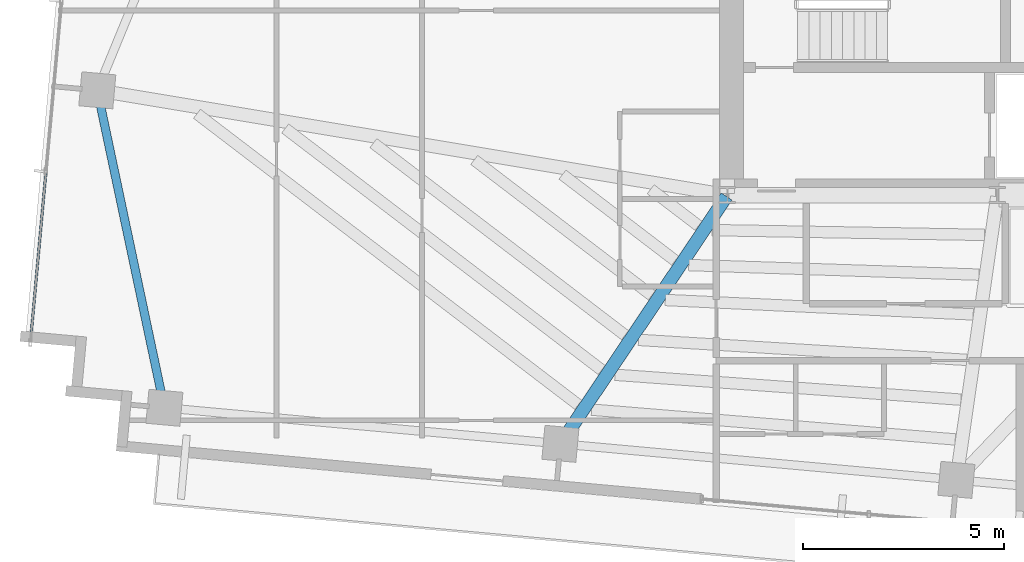
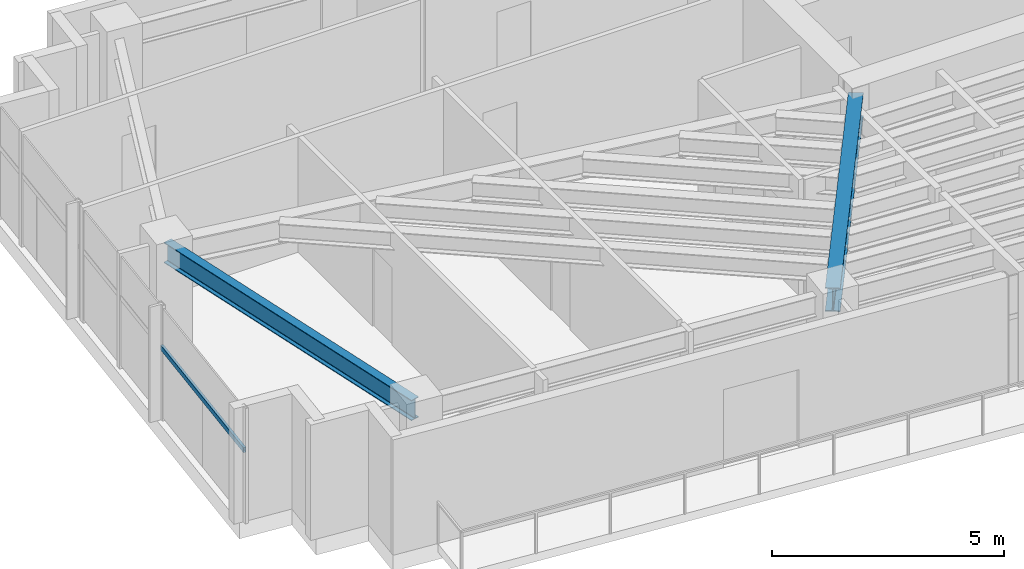
# One storey, part 3 of 22: 2 beams, 1 member, 1 element without a shape of its own.
"""IFC4 building model written with IfcOpenShell, lengths in metres."""

from ifc_helpers import new_model, si_unit, direction, frame, origin, origin_2d, place, context, subcontext, project, spatial, hollow_rectangle, i_section, extrude, source, transform, mapped, material, material_profile, profile_set, type_object, type_shapes, element, aggregate, save


model = new_model("IFC4")

# Units and contexts
model_context = context("Model", 3, precision=1e-05, world=origin(), true_north=direction((0.0, 1.0)))
body_context = subcontext(model_context, "Body", "Model", "MODEL_VIEW")
ifc_project = project(units=[si_unit("LENGTHUNIT", "METRE"), si_unit("AREAUNIT", "SQUARE_METRE"), si_unit("VOLUMEUNIT", "CUBIC_METRE"), si_unit("PLANEANGLEUNIT", "RADIAN"), si_unit("MASSUNIT", "GRAM", prefix="KILO")], contexts=[model_context])

# Site, building, storey
site_placement = place(None, origin())
site = spatial("IfcSite", under=ifc_project, at=site_placement, CompositionType="ELEMENT")
building_placement = place(site_placement, origin())
building = spatial("IfcBuilding", under=site, at=building_placement, Name="Astriad Promenade Condominiums", CompositionType="ELEMENT")
storey_placement = place(building_placement, frame((0.0, 0.0, 216.60009765625)))
storey = spatial("IfcBuildingStorey", under=building, at=storey_placement, Name="L62", CompositionType="ELEMENT", Elevation=216.60009765625)

# Beams
ifc_material_1 = material(Name="Steel ASTM A992 Grade 50", Category="steel")
ifc_material_profile_1 = material_profile(ifc_material_1, i_section(OverallWidth=0.210693359375, OverallDepth=0.53955078125, WebThickness=0.01171875, FlangeThickness=0.018798828125, FilletRadius=0.0166015625, at=origin_2d()), Name="W21X73")
ifc_profile_set_1 = profile_set([ifc_material_profile_1], Name="Steel ASTM A992 Grade 50")
beam_type_1 = type_object("IfcBeamType", Name="STEEL SPANDREL BEAM W21X73", PredefinedType="SPANDREL", material=ifc_profile_set_1)
shared_shape_1 = source(origin(), body_context, "Body", "SweptSolid", [
    extrude(i_section(OverallWidth=0.210693359375, OverallDepth=0.53955078125, WebThickness=0.01171875, FlangeThickness=0.018798828125, FilletRadius=0.0166015625, at=origin_2d()), origin(), (0.0, 0.0, 1.0), 7.99853515625),
])
type_shapes(beam_type_1, [shared_shape_1])
beam_1_placement = place(storey_placement, frame((10.719482421875, 19.97119140625, 2.77001953125), z_axis=(0.206793407277, -0.978384631271, 0.0), x_axis=(0.978384631271, 0.206793407277, 0.0)))
element("IfcBeam", 1, at=beam_1_placement, inside=storey, type_object=beam_type_1, Name="Perimeter Spandrel Beam SP-W1-L62", PredefinedType="SPANDREL", context=body_context, shape_type="MappedRepresentation", body=[
    mapped(shared_shape_1, transform((0.0, 0.0, 0.0), scale=1.0)),
])
ifc_material_profile_2 = material_profile(ifc_material_1, i_section(OverallWidth=0.326416015625, OverallDepth=0.621826171875, WebThickness=0.015380859375, FlangeThickness=0.0244140625, FilletRadius=0.017822265625, at=origin_2d()), Name="W24X131")
ifc_profile_set_2 = profile_set([ifc_material_profile_2], Name="Steel ASTM A992 Grade 50")
beam_type_2 = type_object("IfcBeamType", Name="STEEL FLOOR GIRDER W24X131", PredefinedType="BEAM", material=ifc_profile_set_2)
shared_shape_2 = source(origin(), body_context, "Body", "SweptSolid", [
    extrude(i_section(OverallWidth=0.326416015625, OverallDepth=0.621826171875, WebThickness=0.015380859375, FlangeThickness=0.0244140625, FilletRadius=0.017822265625, at=origin_2d()), origin(), (0.0, 0.0, 1.0), 7.378173828125),
])
type_shapes(beam_type_2, [shared_shape_2])
beam_2_placement = place(storey_placement, frame((22.263427734375, 11.2421875, 2.72900390625), z_axis=(0.55762901545, 0.830090284926, 0.0), x_axis=(-0.830090284926, 0.55762901545, 0.0)))
element("IfcBeam", 2, at=beam_2_placement, inside=storey, type_object=beam_type_2, Name="Primary Floor Girder PG-W2-L62", PredefinedType="BEAM", context=body_context, shape_type="MappedRepresentation", body=[
    mapped(shared_shape_2, transform((0.0, 0.0, 0.0), scale=1.0)),
])

# Curtain wall, member
ifc_material_2 = material(Name="Anodised aluminium Black Dark Glass Unitised", Category="aluminium")
curtain_wall_type = type_object("IfcCurtainWallType", Name="CW-B5-DARK", PredefinedType="USERDEFINED", material=ifc_material_2)
curtain_wall_placement = place(storey_placement, origin())
curtain_wall = element("IfcCurtainWall", 3, at=curtain_wall_placement, inside=storey, type_object=curtain_wall_type, Name="CW-L62-W", ObjectType="UNITISED_CURTAIN_WALL", PredefinedType="USERDEFINED")
ifc_material_3 = material(Name="Anodised aluminium 6063-T6 Black", Category="aluminium")
ifc_material_profile_3 = material_profile(ifc_material_3, hollow_rectangle(XDim=0.06494140625, YDim=0.1298828125, WallThickness=0.00390625, at=origin_2d()), Name="ALU-TRN-65X130")
ifc_profile_set_3 = profile_set([ifc_material_profile_3], Name="Anodised aluminium 6063-T6 Black")
member_type = type_object("IfcMemberType", Name="TRN-ALU-TRN-65X130", PredefinedType="USERDEFINED", material=ifc_profile_set_3)
shared_shape_3 = source(origin(), body_context, "Body", "SweptSolid", [
    extrude(hollow_rectangle(XDim=0.06494140625, YDim=0.1298828125, WallThickness=0.00390625, at=origin_2d()), origin(), (0.0, 0.0, 1.0), 4.2666015625),
])
type_shapes(member_type, [shared_shape_3])
member_placement = place(storey_placement, frame((9.0458984375, 13.7353515625, 1.884765625), z_axis=(0.090638931954, 0.99588382054, 0.0), x_axis=(-0.99588382054, 0.090638931954, 0.0)))
member = element("IfcMember", 4, at=member_placement, type_object=member_type, Name="CW-L62-W-TRN-00-0", ObjectType="TRANSOM", PredefinedType="USERDEFINED", context=body_context, shape_type="MappedRepresentation", body=[
    mapped(shared_shape_3, transform((0.0, 0.0, 0.0), scale=1.0)),
])
aggregate(curtain_wall, [member])

save(model, "model.ifc")
